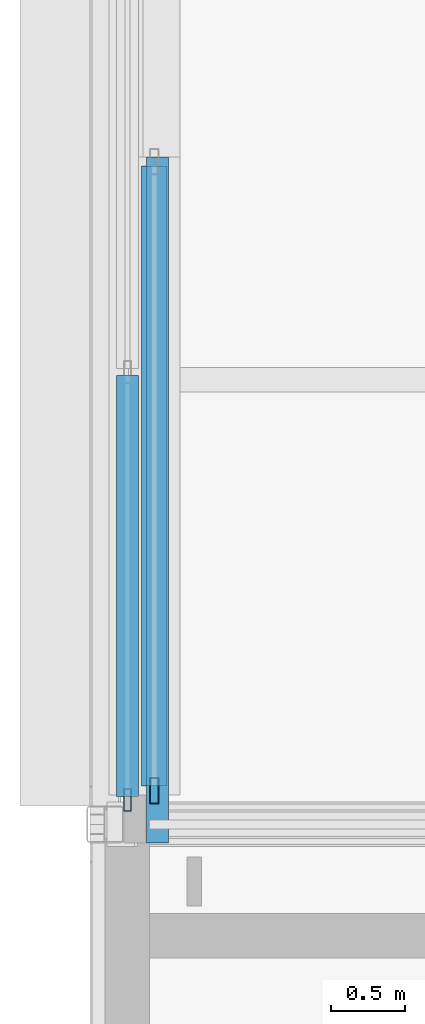
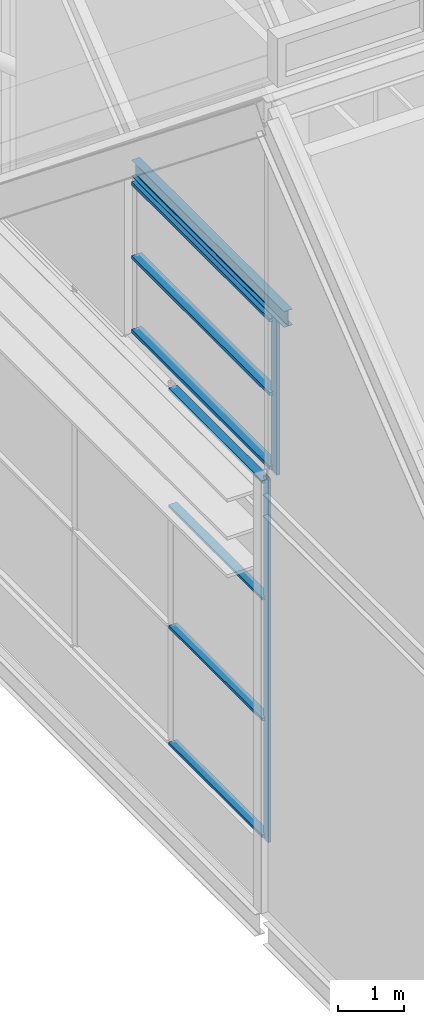
# One storey, part 12 of 144: 9 members, 1 beam, 2 elements without a shape of their own.
"""IFC4 building model written with IfcOpenShell, lengths in metres."""

from ifc_helpers import new_model, si_unit, direction, frame, origin, origin_2d, place, context, subcontext, project, spatial, hollow_rectangle, i_section, extrude, material, layer, layer_set, material_profile, profile_set, type_object, element, aggregate, save


model = new_model("IFC4")

# Units and contexts
model_context = context("Model", 3, precision=1e-05, world=origin(), true_north=direction((0.0, 1.0)))
body_context = subcontext(model_context, "Body", "Model", "MODEL_VIEW")
ifc_project = project(units=[si_unit("LENGTHUNIT", "METRE"), si_unit("AREAUNIT", "SQUARE_METRE"), si_unit("VOLUMEUNIT", "CUBIC_METRE"), si_unit("PLANEANGLEUNIT", "RADIAN"), si_unit("MASSUNIT", "GRAM", prefix="KILO")], contexts=[model_context])

# Site, building, storey
site_placement = place(None, origin())
site = spatial("IfcSite", under=ifc_project, at=site_placement, CompositionType="ELEMENT")
building_placement = place(site_placement, origin())
building = spatial("IfcBuilding", under=site, at=building_placement, Name="Shorebreak Coast Museum", CompositionType="ELEMENT")
storey_placement = place(building_placement, frame((0.0, 0.0, 36.0)))
storey = spatial("IfcBuildingStorey", under=building, at=storey_placement, Name="L06", CompositionType="ELEMENT", Elevation=36.0)

# Beam
ifc_material_1 = material(Name="Steel Grade 300", Category="steel")
ifc_material_profile_1 = material_profile(ifc_material_1, i_section(OverallWidth=0.14892578125, OverallDepth=0.298095703125, WebThickness=0.005615234375, FlangeThickness=0.008056640625, FilletRadius=0.012939453125, at=origin_2d()), Name="310UB32.0")
ifc_profile_set_1 = profile_set([ifc_material_profile_1], Name="Steel Grade 300")
beam_type = type_object("IfcBeamType", Name="Gable head beam 310UB32.0", PredefinedType="BEAM", material=ifc_profile_set_1)
beam_placement = place(storey_placement, frame((54.3515625, 62.875, 10.85107421875), z_axis=(0.0, 1.0, 0.0), x_axis=(-1.0, 0.0, 0.0)))
element("IfcBeam", 1, at=beam_placement, inside=storey, type_object=beam_type, Name="Gable head beam FOLD-X-54-1", PredefinedType="BEAM", context=body_context, shape_type="SweptSolid", body=[
    extrude(i_section(OverallWidth=0.14892578125, OverallDepth=0.298095703125, WebThickness=0.005615234375, FlangeThickness=0.008056640625, FilletRadius=0.012939453125, at=origin_2d()), origin(), (0.0, 0.0, 1.0), 4.625),
])

# Curtain wall, members
ifc_material_2 = material(Name="Aluminium", Category="aluminium")
ifc_layer_1 = layer(ifc_material_2, 0.175048828125)
ifc_layer_set_1 = layer_set([ifc_layer_1], Name="Aluminium")
curtain_wall_type_1 = type_object("IfcCurtainWallType", Name="Gable curtain wall", PredefinedType="NOTDEFINED", material=ifc_layer_set_1)
curtain_wall_1_placement = place(storey_placement, origin())
curtain_wall_1 = element("IfcCurtainWall", 2, at=curtain_wall_1_placement, inside=storey, type_object=curtain_wall_type_1, Name="Gable glazing FOLD-X-54-1", PredefinedType="NOTDEFINED")
ifc_material_3 = material(Name="Aluminium", Category="aluminium")
ifc_material_profile_2 = material_profile(ifc_material_3, hollow_rectangle(XDim=0.06005859375, YDim=0.175048828125, WallThickness=0.00390625, at=origin_2d()), Name="AL 175x60 RHS")
ifc_profile_set_2 = profile_set([ifc_material_profile_2], Name="Aluminium")
member_type_1 = type_object("IfcMemberType", Name="Gable mullion 60 x 175", PredefinedType="MULLION", material=ifc_profile_set_2)
member_1_placement = place(storey_placement, frame((54.33056640625, 63.22705078125, 7.800048828125), z_axis=(0.0, 0.0, 1.0), x_axis=(-1.0, 0.0, 0.0)))
member_1 = element("IfcMember", 3, at=member_1_placement, type_object=member_type_1, Name="CW9 mullion 1", PredefinedType="MULLION", context=body_context, shape_type="SweptSolid", body=[
    extrude(hollow_rectangle(XDim=0.06005859375, YDim=0.175048828125, WallThickness=0.00390625, at=origin_2d()), origin(), (0.0, 0.0, 1.0), 2.90185546875),
])
ifc_material_4 = material(Name="Aluminium", Category="aluminium")
ifc_material_profile_3 = material_profile(ifc_material_4, hollow_rectangle(XDim=0.175048828125, YDim=0.06005859375, WallThickness=0.00390625, at=origin_2d()), Name="AL 60x175 RHS")
ifc_profile_set_3 = profile_set([ifc_material_profile_3], Name="Aluminium")
member_type_2 = type_object("IfcMemberType", Name="Gable transom 175 x 60", PredefinedType="USERDEFINED", material=ifc_profile_set_3)
member_2_placement = place(storey_placement, frame((54.33056640625, 63.257080078125, 7.887451171875), z_axis=(0.0, 1.0, 0.0), x_axis=(-1.0, 0.0, 0.0)))
member_2 = element("IfcMember", 4, at=member_2_placement, type_object=member_type_2, Name="CW9 transom 1.1", ObjectType="TRANSOM", PredefinedType="USERDEFINED", context=body_context, shape_type="SweptSolid", body=[
    extrude(hollow_rectangle(XDim=0.175048828125, YDim=0.06005859375, WallThickness=0.00390625, at=origin_2d()), origin(), (0.0, 0.0, 1.0), 4.182861328125),
])
member_3_placement = place(storey_placement, frame((54.33056640625, 63.257080078125, 9.2509765625), z_axis=(0.0, 1.0, 0.0), x_axis=(-1.0, 0.0, 0.0)))
member_3 = element("IfcMember", 5, at=member_3_placement, type_object=member_type_2, Name="CW9 transom 1.2", ObjectType="TRANSOM", PredefinedType="USERDEFINED", context=body_context, shape_type="SweptSolid", body=[
    extrude(hollow_rectangle(XDim=0.175048828125, YDim=0.06005859375, WallThickness=0.00390625, at=origin_2d()), origin(), (0.0, 0.0, 1.0), 4.182861328125),
])
member_4_placement = place(storey_placement, frame((54.33056640625, 63.257080078125, 10.614501953125), z_axis=(0.0, 1.0, 0.0), x_axis=(-1.0, 0.0, 0.0)))
member_4 = element("IfcMember", 6, at=member_4_placement, type_object=member_type_2, Name="CW9 transom 1.3", ObjectType="TRANSOM", PredefinedType="USERDEFINED", context=body_context, shape_type="SweptSolid", body=[
    extrude(hollow_rectangle(XDim=0.175048828125, YDim=0.06005859375, WallThickness=0.00390625, at=origin_2d()), origin(), (0.0, 0.0, 1.0), 4.182861328125),
])
aggregate(curtain_wall_1, [member_1, member_2, member_3, member_4])

ifc_material_5 = material(Name="Aluminium", Category="aluminium")
ifc_layer_2 = layer(ifc_material_5, 0.14990234375)
ifc_layer_set_2 = layer_set([ifc_layer_2], Name="Aluminium")
curtain_wall_type_2 = type_object("IfcCurtainWallType", Name="Storefront curtain wall", PredefinedType="NOTDEFINED", material=ifc_layer_set_2)
curtain_wall_2_placement = place(storey_placement, origin())
curtain_wall_2 = element("IfcCurtainWall", 7, at=curtain_wall_2_placement, inside=storey, type_object=curtain_wall_type_2, Name="Atrium Hall glazing L06 W 27", PredefinedType="NOTDEFINED")
ifc_material_6 = material(Name="Aluminium", Category="aluminium")
ifc_material_profile_4 = material_profile(ifc_material_6, hollow_rectangle(XDim=0.050048828125, YDim=0.14990234375, WallThickness=0.00390625, at=origin_2d()), Name="AL 150x50 RHS")
ifc_profile_set_4 = profile_set([ifc_material_profile_4], Name="Aluminium")
member_type_3 = type_object("IfcMemberType", Name="Storefront mullion 50 x 150", PredefinedType="MULLION", material=ifc_profile_set_4)
member_5_placement = place(storey_placement, frame((54.14990234375, 63.1640625, 1.10009765625), z_axis=(0.0, 0.0, 1.0), x_axis=(-1.0, 0.0, 0.0)))
member_5 = element("IfcMember", 8, at=member_5_placement, type_object=member_type_3, Name="CW5 mullion 1", PredefinedType="MULLION", context=body_context, shape_type="SweptSolid", body=[
    extrude(hollow_rectangle(XDim=0.050048828125, YDim=0.14990234375, WallThickness=0.00390625, at=origin_2d()), origin(), (0.0, 0.0, 1.0), 6.699951171875),
])
ifc_material_7 = material(Name="Aluminium", Category="aluminium")
ifc_material_profile_5 = material_profile(ifc_material_7, hollow_rectangle(XDim=0.14990234375, YDim=0.050048828125, WallThickness=0.00390625, at=origin_2d()), Name="AL 50x150 RHS")
ifc_profile_set_5 = profile_set([ifc_material_profile_5], Name="Aluminium")
member_type_4 = type_object("IfcMemberType", Name="Storefront transom 150 x 50", PredefinedType="USERDEFINED", material=ifc_profile_set_5)
member_6_placement = place(storey_placement, frame((54.14990234375, 63.18896484375, 1.175048828125), z_axis=(0.0, 1.0, 0.0), x_axis=(-1.0, 0.0, 0.0)))
member_6 = element("IfcMember", 9, at=member_6_placement, type_object=member_type_4, Name="CW5 transom 1.1", ObjectType="TRANSOM", PredefinedType="USERDEFINED", context=body_context, shape_type="SweptSolid", body=[
    extrude(hollow_rectangle(XDim=0.14990234375, YDim=0.050048828125, WallThickness=0.00390625, at=origin_2d()), origin(), (0.0, 0.0, 1.0), 2.8369140625),
])
member_7_placement = place(storey_placement, frame((54.14990234375, 63.18896484375, 3.333251953125), z_axis=(0.0, 1.0, 0.0), x_axis=(-1.0, 0.0, 0.0)))
member_7 = element("IfcMember", 10, at=member_7_placement, type_object=member_type_4, Name="CW5 transom 1.2", ObjectType="TRANSOM", PredefinedType="USERDEFINED", context=body_context, shape_type="SweptSolid", body=[
    extrude(hollow_rectangle(XDim=0.14990234375, YDim=0.050048828125, WallThickness=0.00390625, at=origin_2d()), origin(), (0.0, 0.0, 1.0), 2.8369140625),
])
member_8_placement = place(storey_placement, frame((54.14990234375, 63.18896484375, 5.566650390625), z_axis=(0.0, 1.0, 0.0), x_axis=(-1.0, 0.0, 0.0)))
member_8 = element("IfcMember", 11, at=member_8_placement, type_object=member_type_4, Name="CW5 transom 1.3", ObjectType="TRANSOM", PredefinedType="USERDEFINED", context=body_context, shape_type="SweptSolid", body=[
    extrude(hollow_rectangle(XDim=0.14990234375, YDim=0.050048828125, WallThickness=0.00390625, at=origin_2d()), origin(), (0.0, 0.0, 1.0), 2.8369140625),
])
member_9_placement = place(storey_placement, frame((54.14990234375, 63.18896484375, 7.72509765625), z_axis=(0.0, 1.0, 0.0), x_axis=(-1.0, 0.0, 0.0)))
member_9 = element("IfcMember", 12, at=member_9_placement, type_object=member_type_4, Name="CW5 transom 1.4", ObjectType="TRANSOM", PredefinedType="USERDEFINED", context=body_context, shape_type="SweptSolid", body=[
    extrude(hollow_rectangle(XDim=0.14990234375, YDim=0.050048828125, WallThickness=0.00390625, at=origin_2d()), origin(), (0.0, 0.0, 1.0), 2.8369140625),
])
aggregate(curtain_wall_2, [member_5, member_6, member_7, member_8, member_9])

save(model, "model.ifc")
